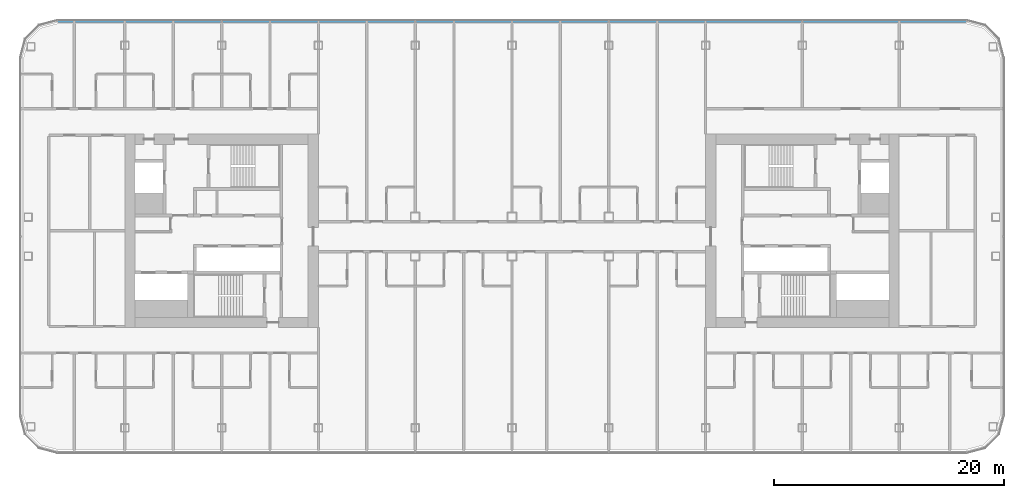
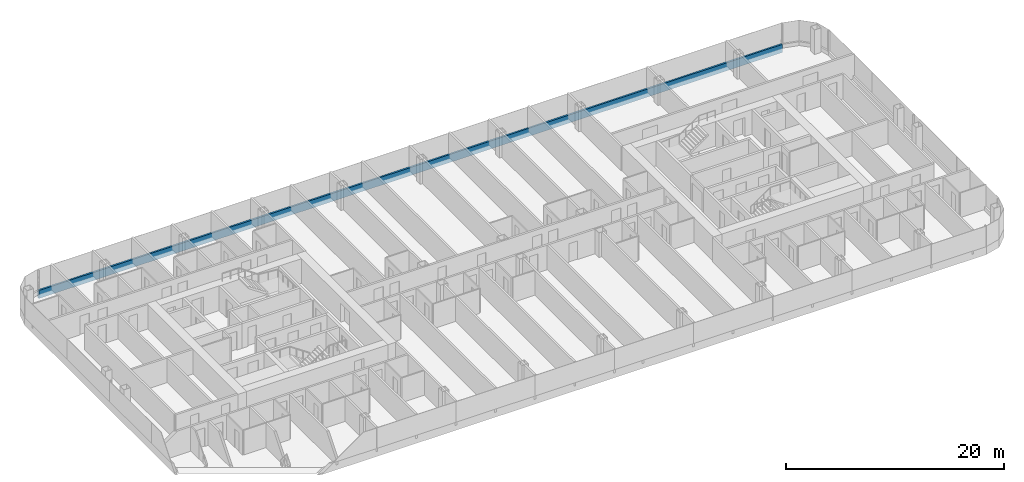
# One storey, part 7 of 27: 1 member, 1 element without a shape of its own.
"""IFC4 building model written with IfcOpenShell, lengths in metres."""

from ifc_helpers import new_model, si_unit, direction, frame, origin, origin_2d, place, context, subcontext, project, spatial, rectangle, extrude, material, layer, layer_set, material_profile, profile_set, type_object, element, aggregate, save


model = new_model("IFC4")

# Units and contexts
model_context = context("Model", 3, precision=1e-05, world=origin(), true_north=direction((0.0, 1.0)))
body_context = subcontext(model_context, "Body", "Model", "MODEL_VIEW")
ifc_project = project(units=[si_unit("LENGTHUNIT", "METRE"), si_unit("AREAUNIT", "SQUARE_METRE"), si_unit("VOLUMEUNIT", "CUBIC_METRE"), si_unit("PLANEANGLEUNIT", "RADIAN"), si_unit("MASSUNIT", "GRAM", prefix="KILO")], contexts=[model_context])

# Site, building, storey
site_placement = place(None, origin())
site = spatial("IfcSite", under=ifc_project, at=site_placement, CompositionType="ELEMENT")
building_placement = place(site_placement, origin())
building = spatial("IfcBuilding", under=site, at=building_placement, Name="Hakoniwa Tower and Hamabe Station Hall", CompositionType="ELEMENT")
storey_placement = place(building_placement, frame((0.0, 0.0, 166.199951171875)))
storey = spatial("IfcBuildingStorey", under=building, at=storey_placement, Name="L47", CompositionType="ELEMENT", Elevation=166.199951171875)

# Curtain wall, member
ifc_material_1 = material(Name="Dark low-e laminated glass", Category="glass")
ifc_layer = layer(ifc_material_1, 0.199951171875)
ifc_layer_set = layer_set([ifc_layer], Name="CW-1 UNITISED GUEST")
curtain_wall_type = type_object("IfcCurtainWallType", Name="CW-1 UNITISED GUEST", PredefinedType="NOTDEFINED", material=ifc_layer_set)
curtain_wall_placement = place(storey_placement, origin())
curtain_wall = element("IfcCurtainWall", 1, at=curtain_wall_placement, inside=storey, type_object=curtain_wall_type, Name="CW-1 curtain wall", PredefinedType="NOTDEFINED")
ifc_material_2 = material(Name="Aluminium 6063-T5 black anodised", Category="aluminium")
ifc_material_profile = material_profile(ifc_material_2, rectangle(XDim=0.199951171875, YDim=0.89990234375, at=origin_2d()), Name="CW SLAB-EDGE BAND 900X200")
ifc_profile_set = profile_set([ifc_material_profile], Name="Aluminium 6063-T5 black anodised")
member_type = type_object("IfcMemberType", Name="CW SLAB-EDGE BAND 900X200", PredefinedType="USERDEFINED", material=ifc_profile_set)
member_placement = place(storey_placement, frame((39.439453125, 18.199951171875, -0.099853515625), z_axis=(-1.0, 0.0, 0.0), x_axis=(0.0, -1.0, 0.0)))
member = element("IfcMember", 2, at=member_placement, type_object=member_type, Name="CW-1 transom", ObjectType="TRANSOM", PredefinedType="USERDEFINED", context=body_context, shape_type="SweptSolid", body=[
    extrude(rectangle(XDim=0.199951171875, YDim=0.89990234375, at=origin_2d()), origin(), (0.0, 0.0, 1.0), 78.87890625),
])
aggregate(curtain_wall, [member])

save(model, "model.ifc")
